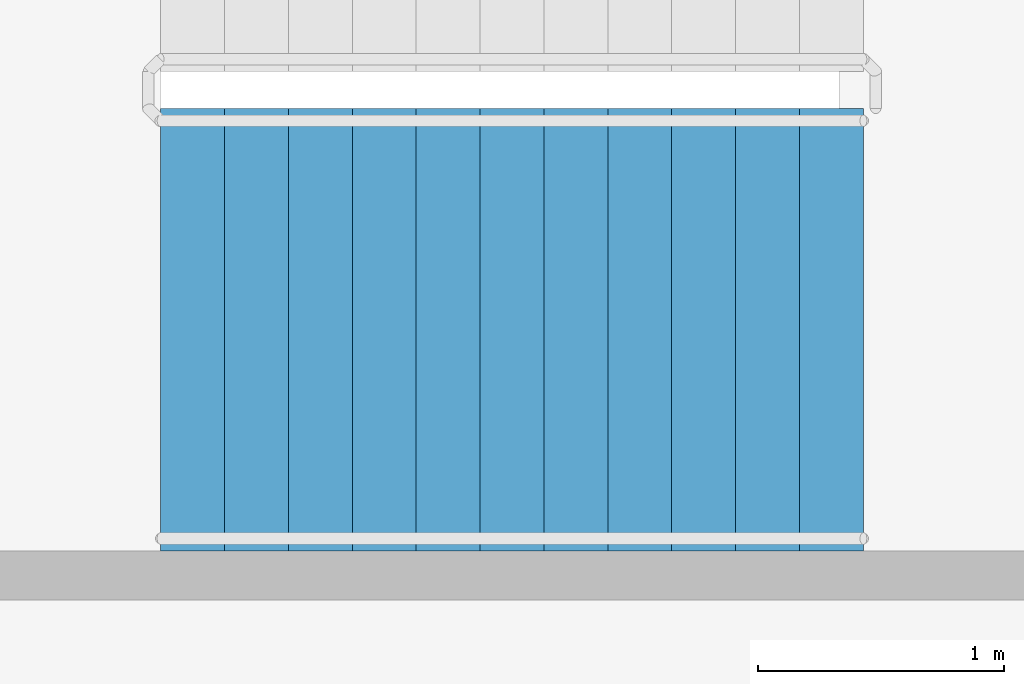
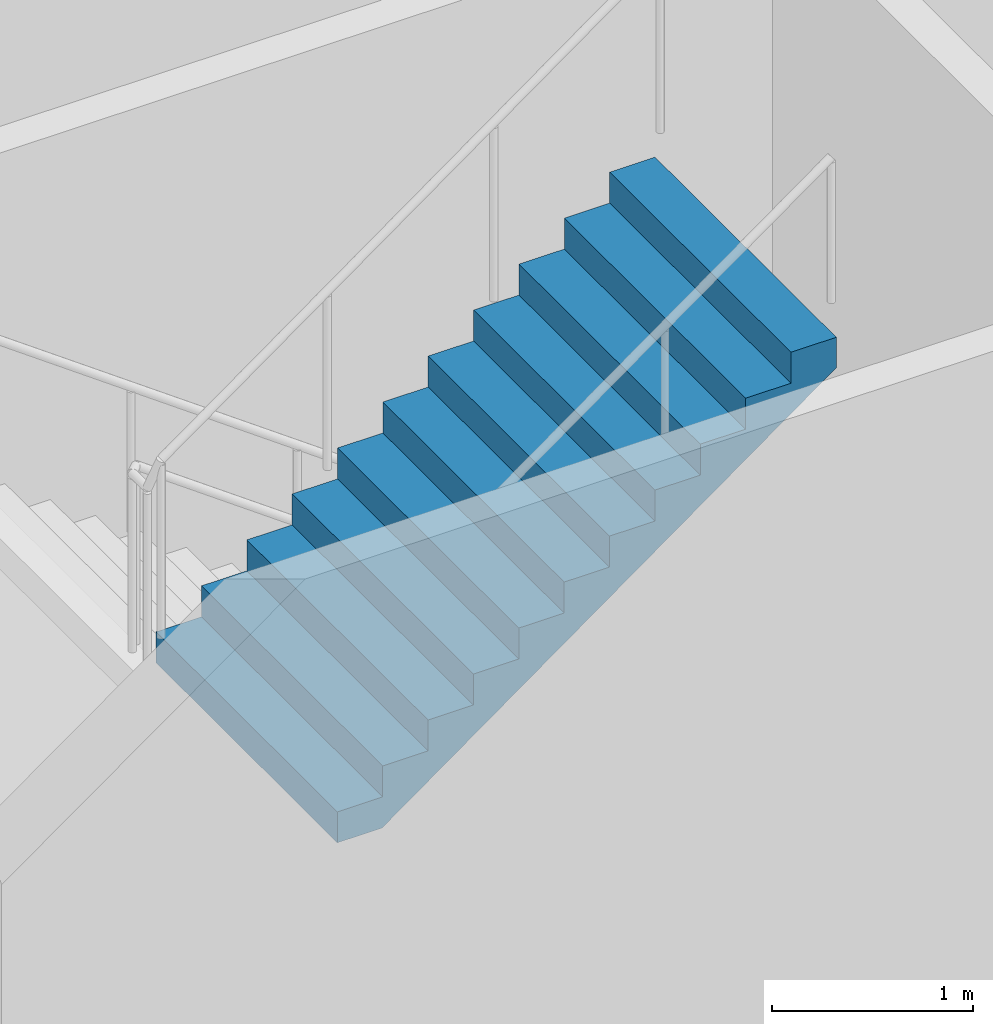
# One storey, part 39 of 49: 1 stair flight, 1 element without a shape of its own.
"""IFC4 building model written with IfcOpenShell, lengths in metres."""

from ifc_helpers import new_model, si_unit, direction, frame, origin, place, context, subcontext, project, spatial, faceted_brep, material, type_object, element, aggregate, save


model = new_model("IFC4")

# Units and contexts
model_context = context("Model", 3, precision=1e-05, world=origin(), true_north=direction((0.0, 1.0)))
body_context = subcontext(model_context, "Body", "Model", "MODEL_VIEW")
ifc_project = project(units=[si_unit("LENGTHUNIT", "METRE"), si_unit("AREAUNIT", "SQUARE_METRE"), si_unit("VOLUMEUNIT", "CUBIC_METRE"), si_unit("PLANEANGLEUNIT", "RADIAN"), si_unit("MASSUNIT", "GRAM", prefix="KILO")], contexts=[model_context])

# Site, building, storey
site_placement = place(None, origin())
site = spatial("IfcSite", under=ifc_project, at=site_placement, CompositionType="ELEMENT")
building_placement = place(site_placement, origin())
building = spatial("IfcBuilding", under=site, at=building_placement, Name="Ipe Terrace Towers", CompositionType="ELEMENT")
storey_placement = place(building_placement, frame((0.0, 0.0, 20.0)))
storey = spatial("IfcBuildingStorey", under=building, at=storey_placement, Name="L04", CompositionType="ELEMENT", Elevation=20.0)

# Stair, stair flight
ifc_material_1 = material(Name="Concrete C30/37", Category="concrete")
stair_type = type_object("IfcStairType", Name="Protected exit stair", PredefinedType="HALF_TURN_STAIR", material=ifc_material_1)
stair_placement = place(storey_placement, origin())
stair = element("IfcStair", 1, at=stair_placement, inside=storey, type_object=stair_type, Name="L04 Podium exit stair PS2", PredefinedType="HALF_TURN_STAIR")
ifc_material_2 = material(Name="Concrete C30/37", Category="concrete")
stair_flight_type = type_object("IfcStairFlightType", Name="Exit stair flight 1800", PredefinedType="STRAIGHT", material=ifc_material_2)
stair_flight_placement = place(storey_placement, frame((-3.610107421875, 23.550048828125, 2.25), z_axis=(0.0, 0.0, 1.0), x_axis=(1.0, 0.0, 0.0)))
stair_flight = element("IfcStairFlight", 2, at=stair_flight_placement, type_object=stair_flight_type, Name="PS2 flight 2", NumberOfRisers=12, NumberOfTreads=11, PredefinedType="STRAIGHT", RiserHeight=0.1875, TreadLength=0.26, context=body_context, shape_type="Brep", body=[
    faceted_brep([(0.25634765625, -0.89990234375, 0.0), (2.860107421875, -0.89990234375, 1.877685546875), (2.860107421875, -0.89990234375, 2.0625), (2.60009765625, -0.89990234375, 2.0625), (2.60009765625, -0.89990234375, 1.875), (2.340087890625, -0.89990234375, 1.875), (2.340087890625, -0.89990234375, 1.6875), (2.080078125, -0.89990234375, 1.6875), (2.080078125, -0.89990234375, 1.5), (1.820068359375, -0.89990234375, 1.5), (1.820068359375, -0.89990234375, 1.3125), (1.56005859375, -0.89990234375, 1.3125), (1.56005859375, -0.89990234375, 1.125), (1.300048828125, -0.89990234375, 1.125), (1.300048828125, -0.89990234375, 0.9375), (1.0400390625, -0.89990234375, 0.9375), (1.0400390625, -0.89990234375, 0.75), (0.780029296875, -0.89990234375, 0.75), (0.780029296875, -0.89990234375, 0.5625), (0.52001953125, -0.89990234375, 0.5625), (0.52001953125, -0.89990234375, 0.375), (0.260009765625, -0.89990234375, 0.375), (0.260009765625, -0.89990234375, 0.1875), (0.0, -0.89990234375, 0.1875), (0.0, -0.89990234375, 0.0), (0.0, 0.89990234375, 0.0), (0.0, 0.89990234375, 0.1875), (0.260009765625, 0.89990234375, 0.1875), (0.260009765625, 0.89990234375, 0.375), (0.52001953125, 0.89990234375, 0.375), (0.52001953125, 0.89990234375, 0.5625), (0.780029296875, 0.89990234375, 0.5625), (0.780029296875, 0.89990234375, 0.75), (1.0400390625, 0.89990234375, 0.75), (1.0400390625, 0.89990234375, 0.9375), (1.300048828125, 0.89990234375, 0.9375), (1.300048828125, 0.89990234375, 1.125), (1.56005859375, 0.89990234375, 1.125), (1.56005859375, 0.89990234375, 1.3125), (1.820068359375, 0.89990234375, 1.3125), (1.820068359375, 0.89990234375, 1.5), (2.080078125, 0.89990234375, 1.5), (2.080078125, 0.89990234375, 1.6875), (2.340087890625, 0.89990234375, 1.6875), (2.340087890625, 0.89990234375, 1.875), (2.60009765625, 0.89990234375, 1.875), (2.60009765625, 0.89990234375, 2.0625), (2.860107421875, 0.89990234375, 2.0625), (2.860107421875, 0.89990234375, 1.877685546875), (0.25634765625, 0.89990234375, 0.0), (0.0, -0.300048828125, 0.1875), (0.0, -0.1201171875, 0.1875), (0.0, -0.06005859375, 0.1875), (0.0, -0.030029296875, 0.1875), (0.0, -0.010009765625, 0.1875), (0.0, 0.0, 0.1875), (0.0, 0.010009765625, 0.1875), (0.0, 0.030029296875, 0.1875), (0.0, 0.06005859375, 0.1875), (0.0, 0.1201171875, 0.1875), (0.0, 0.300048828125, 0.1875), (0.0, 0.300048828125, 0.0), (0.0, 0.1201171875, 0.0), (0.0, 0.06005859375, 0.0), (0.0, 0.030029296875, 0.0), (0.0, 0.010009765625, 0.0), (0.0, 0.0, 0.0), (0.0, -0.010009765625, 0.0), (0.0, -0.030029296875, 0.0), (0.0, -0.06005859375, 0.0), (0.0, -0.1201171875, 0.0), (0.0, -0.300048828125, 0.0), (0.260009765625, -0.300048828125, 0.1875), (0.260009765625, -0.1201171875, 0.1875), (0.260009765625, -0.06005859375, 0.1875), (0.260009765625, -0.030029296875, 0.1875), (0.260009765625, -0.010009765625, 0.1875), (0.260009765625, 0.0, 0.1875), (0.260009765625, 0.010009765625, 0.1875), (0.260009765625, 0.030029296875, 0.1875), (0.260009765625, 0.06005859375, 0.1875), (0.260009765625, 0.1201171875, 0.1875), (0.260009765625, 0.300048828125, 0.1875), (0.260009765625, -0.300048828125, 0.375), (0.260009765625, -0.1201171875, 0.375), (0.260009765625, -0.06005859375, 0.375), (0.260009765625, -0.030029296875, 0.375), (0.260009765625, -0.010009765625, 0.375), (0.260009765625, 0.0, 0.375), (0.260009765625, 0.010009765625, 0.375), (0.260009765625, 0.030029296875, 0.375), (0.260009765625, 0.06005859375, 0.375), (0.260009765625, 0.1201171875, 0.375), (0.260009765625, 0.300048828125, 0.375), (0.52001953125, -0.300048828125, 0.375), (0.52001953125, -0.1201171875, 0.375), (0.52001953125, -0.06005859375, 0.375), (0.52001953125, -0.030029296875, 0.375), (0.52001953125, -0.010009765625, 0.375), (0.52001953125, 0.0, 0.375), (0.52001953125, 0.010009765625, 0.375), (0.52001953125, 0.030029296875, 0.375), (0.52001953125, 0.06005859375, 0.375), (0.52001953125, 0.1201171875, 0.375), (0.52001953125, 0.300048828125, 0.375), (0.52001953125, -0.300048828125, 0.5625), (0.52001953125, -0.1201171875, 0.5625), (0.52001953125, -0.06005859375, 0.5625), (0.52001953125, -0.030029296875, 0.5625), (0.52001953125, -0.010009765625, 0.5625), (0.52001953125, 0.0, 0.5625), (0.52001953125, 0.010009765625, 0.5625), (0.52001953125, 0.030029296875, 0.5625), (0.52001953125, 0.06005859375, 0.5625), (0.52001953125, 0.1201171875, 0.5625), (0.52001953125, 0.300048828125, 0.5625), (0.780029296875, -0.300048828125, 0.5625), (0.780029296875, -0.1201171875, 0.5625), (0.780029296875, -0.06005859375, 0.5625), (0.780029296875, -0.030029296875, 0.5625), (0.780029296875, -0.010009765625, 0.5625), (0.780029296875, 0.0, 0.5625), (0.780029296875, 0.010009765625, 0.5625), (0.780029296875, 0.030029296875, 0.5625), (0.780029296875, 0.06005859375, 0.5625), (0.780029296875, 0.1201171875, 0.5625), (0.780029296875, 0.300048828125, 0.5625), (0.780029296875, -0.300048828125, 0.75), (0.780029296875, -0.1201171875, 0.75), (0.780029296875, -0.06005859375, 0.75), (0.780029296875, -0.030029296875, 0.75), (0.780029296875, -0.010009765625, 0.75), (0.780029296875, 0.0, 0.75), (0.780029296875, 0.010009765625, 0.75), (0.780029296875, 0.030029296875, 0.75), (0.780029296875, 0.06005859375, 0.75), (0.780029296875, 0.1201171875, 0.75), (0.780029296875, 0.300048828125, 0.75), (1.0400390625, -0.300048828125, 0.75), (1.0400390625, -0.1201171875, 0.75), (1.0400390625, -0.06005859375, 0.75), (1.0400390625, -0.030029296875, 0.75), (1.0400390625, -0.010009765625, 0.75), (1.0400390625, 0.0, 0.75), (1.0400390625, 0.010009765625, 0.75), (1.0400390625, 0.030029296875, 0.75), (1.0400390625, 0.06005859375, 0.75), (1.0400390625, 0.1201171875, 0.75), (1.0400390625, 0.300048828125, 0.75), (1.0400390625, -0.300048828125, 0.9375), (1.0400390625, -0.1201171875, 0.9375), (1.0400390625, -0.06005859375, 0.9375), (1.0400390625, -0.030029296875, 0.9375), (1.0400390625, -0.010009765625, 0.9375), (1.0400390625, 0.0, 0.9375), (1.0400390625, 0.010009765625, 0.9375), (1.0400390625, 0.030029296875, 0.9375), (1.0400390625, 0.06005859375, 0.9375), (1.0400390625, 0.1201171875, 0.9375), (1.0400390625, 0.300048828125, 0.9375), (1.300048828125, -0.300048828125, 0.9375), (1.300048828125, -0.1201171875, 0.9375), (1.300048828125, -0.06005859375, 0.9375), (1.300048828125, -0.030029296875, 0.9375), (1.300048828125, -0.010009765625, 0.9375), (1.300048828125, 0.0, 0.9375), (1.300048828125, 0.010009765625, 0.9375), (1.300048828125, 0.030029296875, 0.9375), (1.300048828125, 0.06005859375, 0.9375), (1.300048828125, 0.1201171875, 0.9375), (1.300048828125, 0.300048828125, 0.9375), (1.300048828125, -0.300048828125, 1.125), (1.300048828125, -0.1201171875, 1.125), (1.300048828125, -0.06005859375, 1.125), (1.300048828125, -0.030029296875, 1.125), (1.300048828125, -0.010009765625, 1.125), (1.300048828125, 0.0, 1.125), (1.300048828125, 0.010009765625, 1.125), (1.300048828125, 0.030029296875, 1.125), (1.300048828125, 0.06005859375, 1.125), (1.300048828125, 0.1201171875, 1.125), (1.300048828125, 0.300048828125, 1.125), (1.56005859375, -0.300048828125, 1.125), (1.56005859375, -0.1201171875, 1.125), (1.56005859375, -0.06005859375, 1.125), (1.56005859375, -0.030029296875, 1.125), (1.56005859375, -0.010009765625, 1.125), (1.56005859375, 0.0, 1.125), (1.56005859375, 0.010009765625, 1.125), (1.56005859375, 0.030029296875, 1.125), (1.56005859375, 0.06005859375, 1.125), (1.56005859375, 0.1201171875, 1.125), (1.56005859375, 0.300048828125, 1.125), (1.56005859375, -0.300048828125, 1.3125), (1.56005859375, -0.1201171875, 1.3125), (1.56005859375, -0.06005859375, 1.3125), (1.56005859375, -0.030029296875, 1.3125), (1.56005859375, -0.010009765625, 1.3125), (1.56005859375, 0.0, 1.3125), (1.56005859375, 0.010009765625, 1.3125), (1.56005859375, 0.030029296875, 1.3125), (1.56005859375, 0.06005859375, 1.3125), (1.56005859375, 0.1201171875, 1.3125), (1.56005859375, 0.300048828125, 1.3125), (1.820068359375, -0.300048828125, 1.3125), (1.820068359375, -0.1201171875, 1.3125), (1.820068359375, -0.06005859375, 1.3125), (1.820068359375, -0.030029296875, 1.3125), (1.820068359375, -0.010009765625, 1.3125), (1.820068359375, 0.0, 1.3125), (1.820068359375, 0.010009765625, 1.3125), (1.820068359375, 0.030029296875, 1.3125), (1.820068359375, 0.06005859375, 1.3125), (1.820068359375, 0.1201171875, 1.3125), (1.820068359375, 0.300048828125, 1.3125), (1.820068359375, -0.300048828125, 1.5), (1.820068359375, -0.1201171875, 1.5), (1.820068359375, -0.06005859375, 1.5), (1.820068359375, -0.030029296875, 1.5), (1.820068359375, -0.010009765625, 1.5), (1.820068359375, 0.0, 1.5), (1.820068359375, 0.010009765625, 1.5), (1.820068359375, 0.030029296875, 1.5), (1.820068359375, 0.06005859375, 1.5), (1.820068359375, 0.1201171875, 1.5), (1.820068359375, 0.300048828125, 1.5), (2.080078125, -0.300048828125, 1.5), (2.080078125, -0.1201171875, 1.5), (2.080078125, -0.06005859375, 1.5), (2.080078125, -0.030029296875, 1.5), (2.080078125, -0.010009765625, 1.5), (2.080078125, 0.0, 1.5), (2.080078125, 0.010009765625, 1.5), (2.080078125, 0.030029296875, 1.5), (2.080078125, 0.06005859375, 1.5), (2.080078125, 0.1201171875, 1.5), (2.080078125, 0.300048828125, 1.5), (2.080078125, -0.300048828125, 1.6875), (2.080078125, -0.1201171875, 1.6875), (2.080078125, -0.06005859375, 1.6875), (2.080078125, -0.030029296875, 1.6875), (2.080078125, -0.010009765625, 1.6875), (2.080078125, 0.0, 1.6875), (2.080078125, 0.010009765625, 1.6875), (2.080078125, 0.030029296875, 1.6875), (2.080078125, 0.06005859375, 1.6875), (2.080078125, 0.1201171875, 1.6875), (2.080078125, 0.300048828125, 1.6875), (2.340087890625, -0.300048828125, 1.6875), (2.340087890625, -0.1201171875, 1.6875), (2.340087890625, -0.06005859375, 1.6875), (2.340087890625, -0.030029296875, 1.6875), (2.340087890625, -0.010009765625, 1.6875), (2.340087890625, 0.0, 1.6875), (2.340087890625, 0.010009765625, 1.6875), (2.340087890625, 0.030029296875, 1.6875), (2.340087890625, 0.06005859375, 1.6875), (2.340087890625, 0.1201171875, 1.6875), (2.340087890625, 0.300048828125, 1.6875), (2.340087890625, -0.300048828125, 1.875), (2.340087890625, -0.1201171875, 1.875), (2.340087890625, -0.06005859375, 1.875), (2.340087890625, -0.030029296875, 1.875), (2.340087890625, -0.010009765625, 1.875), (2.340087890625, 0.0, 1.875), (2.340087890625, 0.010009765625, 1.875), (2.340087890625, 0.030029296875, 1.875), (2.340087890625, 0.06005859375, 1.875), (2.340087890625, 0.1201171875, 1.875), (2.340087890625, 0.300048828125, 1.875), (2.60009765625, -0.300048828125, 1.875), (2.60009765625, -0.1201171875, 1.875), (2.60009765625, -0.06005859375, 1.875), (2.60009765625, -0.030029296875, 1.875), (2.60009765625, -0.010009765625, 1.875), (2.60009765625, 0.0, 1.875), (2.60009765625, 0.010009765625, 1.875), (2.60009765625, 0.030029296875, 1.875), (2.60009765625, 0.06005859375, 1.875), (2.60009765625, 0.1201171875, 1.875), (2.60009765625, 0.300048828125, 1.875), (2.60009765625, -0.300048828125, 2.0625), (2.60009765625, -0.1201171875, 2.0625), (2.60009765625, -0.06005859375, 2.0625), (2.60009765625, -0.030029296875, 2.0625), (2.60009765625, -0.010009765625, 2.0625), (2.60009765625, 0.0, 2.0625), (2.60009765625, 0.010009765625, 2.0625), (2.60009765625, 0.030029296875, 2.0625), (2.60009765625, 0.06005859375, 2.0625), (2.60009765625, 0.1201171875, 2.0625), (2.60009765625, 0.300048828125, 2.0625), (2.860107421875, -0.300048828125, 2.0625), (2.860107421875, -0.1201171875, 2.0625), (2.860107421875, -0.06005859375, 2.0625), (2.860107421875, -0.030029296875, 2.0625), (2.860107421875, -0.010009765625, 2.0625), (2.860107421875, 0.0, 2.0625), (2.860107421875, 0.010009765625, 2.0625), (2.860107421875, 0.030029296875, 2.0625), (2.860107421875, 0.06005859375, 2.0625), (2.860107421875, 0.1201171875, 2.0625), (2.860107421875, 0.300048828125, 2.0625), (2.860107421875, -0.300048828125, 1.877685546875), (2.860107421875, -0.1201171875, 1.877685546875), (2.860107421875, -0.06005859375, 1.877685546875), (2.860107421875, -0.030029296875, 1.877685546875), (2.860107421875, -0.010009765625, 1.877685546875), (2.860107421875, 0.0, 1.877685546875), (2.860107421875, 0.010009765625, 1.877685546875), (2.860107421875, 0.030029296875, 1.877685546875), (2.860107421875, 0.06005859375, 1.877685546875), (2.860107421875, 0.1201171875, 1.877685546875), (2.860107421875, 0.300048828125, 1.877685546875), (0.25634765625, -0.300048828125, 0.0), (0.25634765625, -0.1201171875, 0.0), (0.25634765625, -0.06005859375, 0.0), (0.25634765625, -0.030029296875, 0.0), (0.25634765625, -0.010009765625, 0.0), (0.25634765625, 0.0, 0.0), (0.25634765625, 0.010009765625, 0.0), (0.25634765625, 0.030029296875, 0.0), (0.25634765625, 0.06005859375, 0.0), (0.25634765625, 0.1201171875, 0.0), (0.25634765625, 0.300048828125, 0.0)], [[[0, 1, 2, 3, 4, 5, 6, 7, 8, 9, 10, 11, 12, 13, 14, 15, 16, 17, 18, 19, 20, 21, 22, 23, 24]], [[25, 26, 27, 28, 29, 30, 31, 32, 33, 34, 35, 36, 37, 38, 39, 40, 41, 42, 43, 44, 45, 46, 47, 48, 49]], [[23, 50, 51, 52, 53, 54, 55, 56, 57, 58, 59, 60, 26, 25, 61, 62, 63, 64, 65, 66, 67, 68, 69, 70, 71, 24]], [[22, 72, 73, 74, 75, 76, 77, 78, 79, 80, 81, 82, 27, 26, 60, 59, 58, 57, 56, 55, 54, 53, 52, 51, 50, 23]], [[21, 83, 84, 85, 86, 87, 88, 89, 90, 91, 92, 93, 28, 27, 82, 81, 80, 79, 78, 77, 76, 75, 74, 73, 72, 22]], [[20, 94, 95, 96, 97, 98, 99, 100, 101, 102, 103, 104, 29, 28, 93, 92, 91, 90, 89, 88, 87, 86, 85, 84, 83, 21]], [[19, 105, 106, 107, 108, 109, 110, 111, 112, 113, 114, 115, 30, 29, 104, 103, 102, 101, 100, 99, 98, 97, 96, 95, 94, 20]], [[18, 116, 117, 118, 119, 120, 121, 122, 123, 124, 125, 126, 31, 30, 115, 114, 113, 112, 111, 110, 109, 108, 107, 106, 105, 19]], [[17, 127, 128, 129, 130, 131, 132, 133, 134, 135, 136, 137, 32, 31, 126, 125, 124, 123, 122, 121, 120, 119, 118, 117, 116, 18]], [[16, 138, 139, 140, 141, 142, 143, 144, 145, 146, 147, 148, 33, 32, 137, 136, 135, 134, 133, 132, 131, 130, 129, 128, 127, 17]], [[15, 149, 150, 151, 152, 153, 154, 155, 156, 157, 158, 159, 34, 33, 148, 147, 146, 145, 144, 143, 142, 141, 140, 139, 138, 16]], [[14, 160, 161, 162, 163, 164, 165, 166, 167, 168, 169, 170, 35, 34, 159, 158, 157, 156, 155, 154, 153, 152, 151, 150, 149, 15]], [[13, 171, 172, 173, 174, 175, 176, 177, 178, 179, 180, 181, 36, 35, 170, 169, 168, 167, 166, 165, 164, 163, 162, 161, 160, 14]], [[12, 182, 183, 184, 185, 186, 187, 188, 189, 190, 191, 192, 37, 36, 181, 180, 179, 178, 177, 176, 175, 174, 173, 172, 171, 13]], [[11, 193, 194, 195, 196, 197, 198, 199, 200, 201, 202, 203, 38, 37, 192, 191, 190, 189, 188, 187, 186, 185, 184, 183, 182, 12]], [[10, 204, 205, 206, 207, 208, 209, 210, 211, 212, 213, 214, 39, 38, 203, 202, 201, 200, 199, 198, 197, 196, 195, 194, 193, 11]], [[9, 215, 216, 217, 218, 219, 220, 221, 222, 223, 224, 225, 40, 39, 214, 213, 212, 211, 210, 209, 208, 207, 206, 205, 204, 10]], [[8, 226, 227, 228, 229, 230, 231, 232, 233, 234, 235, 236, 41, 40, 225, 224, 223, 222, 221, 220, 219, 218, 217, 216, 215, 9]], [[7, 237, 238, 239, 240, 241, 242, 243, 244, 245, 246, 247, 42, 41, 236, 235, 234, 233, 232, 231, 230, 229, 228, 227, 226, 8]], [[6, 248, 249, 250, 251, 252, 253, 254, 255, 256, 257, 258, 43, 42, 247, 246, 245, 244, 243, 242, 241, 240, 239, 238, 237, 7]], [[5, 259, 260, 261, 262, 263, 264, 265, 266, 267, 268, 269, 44, 43, 258, 257, 256, 255, 254, 253, 252, 251, 250, 249, 248, 6]], [[4, 270, 271, 272, 273, 274, 275, 276, 277, 278, 279, 280, 45, 44, 269, 268, 267, 266, 265, 264, 263, 262, 261, 260, 259, 5]], [[3, 281, 282, 283, 284, 285, 286, 287, 288, 289, 290, 291, 46, 45, 280, 279, 278, 277, 276, 275, 274, 273, 272, 271, 270, 4]], [[2, 292, 293, 294, 295, 296, 297, 298, 299, 300, 301, 302, 47, 46, 291, 290, 289, 288, 287, 286, 285, 284, 283, 282, 281, 3]], [[1, 303, 304, 305, 306, 307, 308, 309, 310, 311, 312, 313, 48, 47, 302, 301, 300, 299, 298, 297, 296, 295, 294, 293, 292, 2]], [[0, 314, 315, 316, 317, 318, 319, 320, 321, 322, 323, 324, 49, 48, 313, 312, 311, 310, 309, 308, 307, 306, 305, 304, 303, 1]], [[24, 71, 70, 69, 68, 67, 66, 65, 64, 63, 62, 61, 25, 49, 324, 323, 322, 321, 320, 319, 318, 317, 316, 315, 314, 0]]]),
])
aggregate(stair, [stair_flight])

save(model, "model.ifc")
